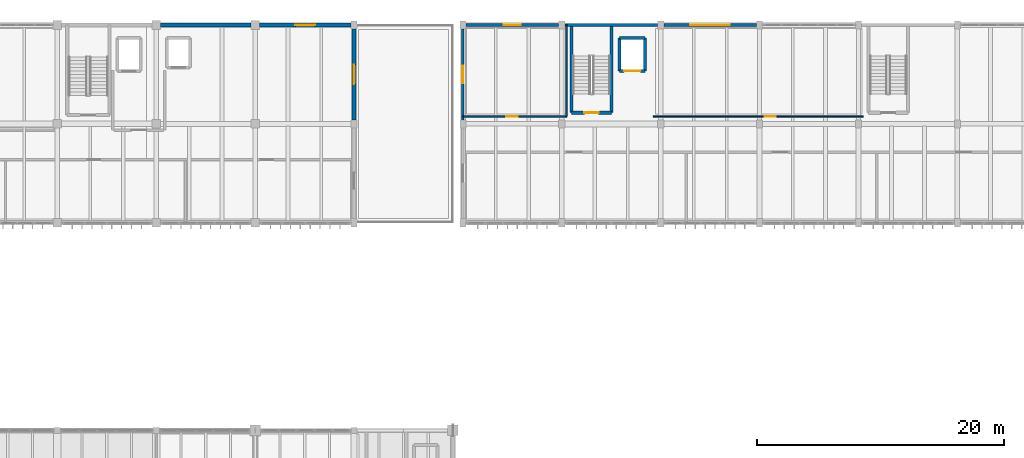
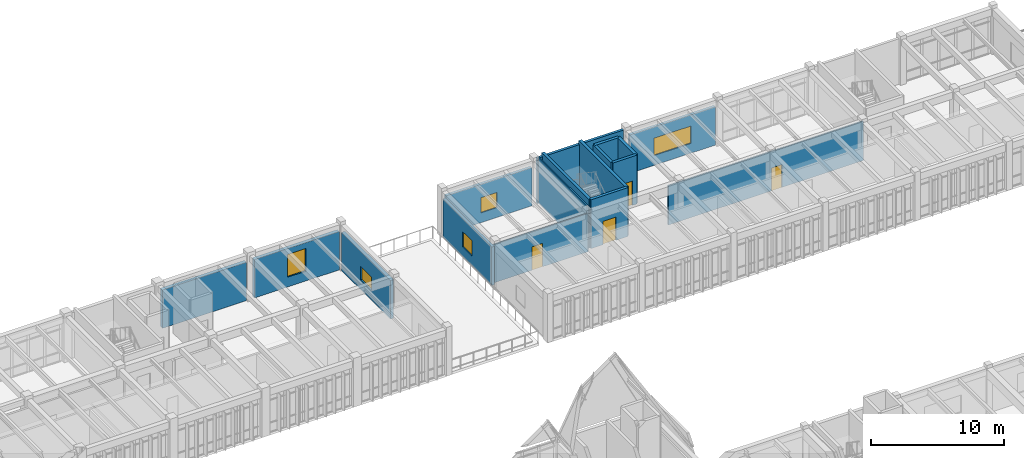
# One storey, part 55 of 72: 17 walls, 5 windows, 4 doors, 9 openings.
"""IFC4 building model written with IfcOpenShell, lengths in metres."""

from ifc_helpers import new_model, si_unit, direction, frame, frame_2d, origin, place, context, subcontext, project, spatial, rectangle, extrude, material, layer, layer_set, type_object, element, fill, save


model = new_model("IFC4")

# Units and contexts
model_context = context("Model", 3, precision=1e-05, world=origin(), true_north=direction((0.0, 1.0)))
body_context = subcontext(model_context, "Body", "Model", "MODEL_VIEW")
ifc_project = project(units=[si_unit("LENGTHUNIT", "METRE"), si_unit("AREAUNIT", "SQUARE_METRE"), si_unit("VOLUMEUNIT", "CUBIC_METRE"), si_unit("PLANEANGLEUNIT", "RADIAN"), si_unit("MASSUNIT", "GRAM", prefix="KILO")], contexts=[model_context])

# Site, building, storey
site_placement = place(None, origin())
site = spatial("IfcSite", under=ifc_project, at=site_placement, CompositionType="ELEMENT")
building_placement = place(site_placement, origin())
building = spatial("IfcBuilding", under=site, at=building_placement, Name="Tlaxcora Railside Police Headquarters", CompositionType="ELEMENT")
storey_placement = place(building_placement, frame((0.0, 0.0, 13.5)))
storey = spatial("IfcBuildingStorey", under=building, at=storey_placement, Name="L03", CompositionType="ELEMENT", Elevation=13.5)

# Wall, opening, door
ifc_material_1 = material(Name="Gypsum acoustic partition board")
ifc_layer_1 = layer(ifc_material_1, 0.10791015625, Name="Gypsum acoustic partition board")
ifc_layer_set_1 = layer_set([ifc_layer_1], Name="Gypsum acoustic partition board")
wall_type_1 = type_object("IfcWallType", Name="Interior Partition Wall IW-19", PredefinedType="PARTITIONING", material=ifc_layer_set_1)
wall_1_placement = place(storey_placement, frame((118.199951171875, 85.39990234375, 0.0), z_axis=(0.0, 0.0, 1.0), x_axis=(1.0, 0.0, 0.0)))
wall_1 = element("IfcWall", 1, at=wall_1_placement, inside=storey, type_object=wall_type_1, Name="V6 L03 interior partition 188", PredefinedType="PARTITIONING", context=body_context, shape_type="SweptSolid", body=[
    extrude(rectangle(XDim=17.0, YDim=0.10791015625, at=frame_2d((8.5, 0.0))), origin(), (0.0, 0.0, 1.0), 3.625),
])
opening_1_placement = place(wall_1_placement, frame((9.0, 0.0, 0.0)))
opening_1 = element("IfcOpeningElement", 2, at=opening_1_placement, cuts=wall_1, Name="Opening D-L03-217", PredefinedType="OPENING", context=body_context, shape_type="SweptSolid", body=[
    extrude(rectangle(XDim=0.89990234375, YDim=2.10009765625, at=frame_2d((0.449951171875, 1.050048828125))), frame((0.0, 0.06396484375, 0.0), z_axis=(0.0, -1.0, 0.0), x_axis=(1.0, 0.0, 0.0)), (0.0, 0.0, 1.0), 0.1279296875),
])
ifc_material_2 = material(Name="Steel ASTM A992 Grade 50", Category="steel")
door_type_1 = type_object("IfcDoorType", Name="Swing or Sliding Personnel Door ID-33", OperationType="NOTDEFINED", PredefinedType="DOOR", material=ifc_material_2)
door_1_placement = place(opening_1_placement, origin())
door_1 = element("IfcDoor", 3, at=door_1_placement, inside=storey, type_object=door_type_1, Name="V6 L03 door D-L03-217", OperationType="SINGLE_SWING_LEFT", OverallHeight=2.10009765625, OverallWidth=0.89990234375, PredefinedType="DOOR", context=body_context, shape_type="SweptSolid", body=[
    extrude(rectangle(XDim=0.89990234375, YDim=2.10009765625, at=frame_2d((0.449951171875, 1.050048828125))), frame((0.0, 0.02490234375, 0.0), z_axis=(0.0, -1.0, 0.0), x_axis=(1.0, 0.0, 0.0)), (0.0, 0.0, 1.0), 0.050048828125),
])
fill(opening_1, door_1)

ifc_layer_2 = layer(ifc_material_1, 0.1201171875, Name="Gypsum acoustic partition board")
ifc_layer_set_2 = layer_set([ifc_layer_2], Name="Gypsum acoustic partition board")
wall_type_2 = type_object("IfcWallType", Name="Interior Partition Wall IW-37", PredefinedType="PARTITIONING", material=ifc_layer_set_2)
wall_2_placement = place(storey_placement, frame((102.800048828125, 85.39990234375, 0.0), z_axis=(0.0, 0.0, 1.0), x_axis=(1.0, 0.0, 0.0)))
wall_2 = element("IfcWall", 4, at=wall_2_placement, inside=storey, type_object=wall_type_2, Name="V6 L03 interior partition 186", PredefinedType="PARTITIONING", context=body_context, shape_type="SweptSolid", body=[
    extrude(rectangle(XDim=8.39990234375, YDim=0.1201171875, at=frame_2d((4.199951171875, 0.0))), origin(), (0.0, 0.0, 1.0), 3.52490234375),
])
opening_2_placement = place(wall_2_placement, frame((3.5, 0.0, 0.0)))
opening_2 = element("IfcOpeningElement", 5, at=opening_2_placement, cuts=wall_2, Name="Opening D-L03-216", PredefinedType="OPENING", context=body_context, shape_type="SweptSolid", body=[
    extrude(rectangle(XDim=0.949951171875, YDim=2.14990234375, at=frame_2d((0.47509765625, 1.074951171875))), frame((0.0, 0.070068359375, 0.0), z_axis=(0.0, -1.0, 0.0), x_axis=(1.0, 0.0, 0.0)), (0.0, 0.0, 1.0), 0.14013671875),
])
door_type_2 = type_object("IfcDoorType", Name="Swing or Sliding Personnel Door ID-31", OperationType="NOTDEFINED", PredefinedType="DOOR", material=ifc_material_2)
door_2_placement = place(opening_2_placement, origin())
door_2 = element("IfcDoor", 6, at=door_2_placement, inside=storey, type_object=door_type_2, Name="V6 L03 door D-L03-216", OperationType="SINGLE_SWING_RIGHT", OverallHeight=2.14990234375, OverallWidth=0.949951171875, PredefinedType="DOOR", context=body_context, shape_type="SweptSolid", body=[
    extrude(rectangle(XDim=0.949951171875, YDim=2.14990234375, at=frame_2d((0.47509765625, 1.074951171875))), frame((0.0, 0.02490234375, 0.0), z_axis=(0.0, -1.0, 0.0), x_axis=(1.0, 0.0, 0.0)), (0.0, 0.0, 1.0), 0.050048828125),
])
fill(opening_2, door_2)

# Wall
ifc_layer_3 = layer(ifc_material_1, 0.114990234375, Name="Gypsum acoustic partition board")
ifc_layer_set_3 = layer_set([ifc_layer_3], Name="Gypsum acoustic partition board")
wall_type_3 = type_object("IfcWallType", Name="Interior Partition Wall IW-87", PredefinedType="PARTITIONING", material=ifc_layer_set_3)
wall_3_placement = place(storey_placement, frame((111.199951171875, 85.39990234375, 0.0), z_axis=(0.0, 0.0, 1.0), x_axis=(0.0, 1.0, 0.0)))
element("IfcWall", 7, at=wall_3_placement, inside=storey, type_object=wall_type_3, Name="V6 L03 interior partition 187", PredefinedType="PARTITIONING", context=body_context, shape_type="SweptSolid", body=[
    extrude(rectangle(XDim=7.400146484375, YDim=0.114990234375, at=frame_2d((3.7001953125, 0.0))), origin(), (0.0, 0.0, 1.0), 4.18994140625),
])

# Wall, opening, door
ifc_material_3 = material(Name="Concrete C40/50", Category="concrete")
ifc_layer_4 = layer(ifc_material_3, 0.25, Name="Concrete C40/50")
ifc_layer_set_4 = layer_set([ifc_layer_4], Name="Concrete C40/50")
wall_type_4 = type_object("IfcWallType", Name="Shear Core Wall IW-13", PredefinedType="SHEAR", material=ifc_layer_set_4)
wall_4_placement = place(storey_placement, frame((111.60009765625, 85.699951171875, 0.0), z_axis=(0.0, 0.0, 1.0), x_axis=(1.0, 0.0, 0.0)))
wall_4 = element("IfcWall", 8, at=wall_4_placement, inside=storey, type_object=wall_type_4, Name="CORE-C3 L03 stair core wall S", PredefinedType="SHEAR", context=body_context, shape_type="SweptSolid", body=[
    extrude(rectangle(XDim=3.219970703125, YDim=0.25, at=frame_2d((1.60986328125, 0.0))), origin(), (0.0, 0.0, 1.0), 4.5),
])
opening_3_placement = place(wall_4_placement, frame((1.034912109375, 0.0, 0.0)))
opening_3 = element("IfcOpeningElement", 9, at=opening_3_placement, cuts=wall_4, Name="Opening SD-L03-023", PredefinedType="OPENING", context=body_context, shape_type="SweptSolid", body=[
    extrude(rectangle(XDim=1.14990234375, YDim=2.14990234375, at=frame_2d((0.574951171875, 1.074951171875))), frame((0.0, 0.135009765625, 0.0), z_axis=(0.0, -1.0, 0.0), x_axis=(1.0, 0.0, 0.0)), (0.0, 0.0, 1.0), 0.27001953125),
])
door_type_3 = type_object("IfcDoorType", Name="Swing or Sliding Personnel Door ID-73", OperationType="NOTDEFINED", PredefinedType="DOOR", material=ifc_material_2)
door_3_placement = place(opening_3_placement, origin())
door_3 = element("IfcDoor", 10, at=door_3_placement, inside=storey, type_object=door_type_3, Name="Stair ST3 L03 enclosure fire door", OperationType="SINGLE_SWING_LEFT", OverallHeight=2.14990234375, OverallWidth=1.14990234375, PredefinedType="DOOR", context=body_context, shape_type="SweptSolid", body=[
    extrude(rectangle(XDim=1.14990234375, YDim=2.14990234375, at=frame_2d((0.574951171875, 1.074951171875))), frame((0.0, 0.02490234375, 0.0), z_axis=(0.0, -1.0, 0.0), x_axis=(1.0, 0.0, 0.0)), (0.0, 0.0, 1.0), 0.050048828125),
])
fill(opening_3, door_3)

# Walls
for number, where, z_axis, x_axis, name in (
    (11, (114.820068359375, 85.699951171875, 0.0), (0.0, 0.0, 1.0), (0.0, 1.0, 0.0), "CORE-C3 L03 stair core wall E"),
    (12, (111.60009765625, 92.800048828125, 0.0), (0.0, 0.0, 1.0), (0.0, -1.0, 0.0), "CORE-C3 L03 stair core wall W"),
):
    element("IfcWall", number, at=place(storey_placement, frame(where, z_axis=z_axis, x_axis=x_axis)), inside=storey, type_object=wall_type_4, Name=name, PredefinedType="SHEAR", context=body_context, shape_type="SweptSolid", body=[
        extrude(rectangle(XDim=7.10009765625, YDim=0.25, at=frame_2d((3.550048828125, 0.0))), origin(), (0.0, 0.0, 1.0), 4.5),
    ])

# Wall, opening, door
wall_5_placement = place(storey_placement, frame((115.4599609375, 89.06005859375, 0.0), z_axis=(0.0, 0.0, 1.0), x_axis=(1.0, 0.0, 0.0)))
wall_5 = element("IfcWall", 13, at=wall_5_placement, inside=storey, type_object=wall_type_4, Name="Lift GL-01 L03 shaft wall S", PredefinedType="SHEAR", context=body_context, shape_type="SweptSolid", body=[
    extrude(rectangle(XDim=2.080078125, YDim=0.25, at=frame_2d((1.0400390625, 0.0))), origin(), (0.0, 0.0, 1.0), 4.5),
])
opening_4_placement = place(wall_5_placement, frame((0.389892578125, 0.0, 0.0)))
opening_4 = element("IfcOpeningElement", 14, at=opening_4_placement, cuts=wall_5, Name="Opening LD-GL-01-L03", PredefinedType="OPENING", context=body_context, shape_type="SweptSolid", body=[
    extrude(rectangle(XDim=1.300048828125, YDim=2.25, at=frame_2d((0.64990234375, 1.125))), frame((0.0, 0.135009765625, 0.0), z_axis=(0.0, -1.0, 0.0), x_axis=(1.0, 0.0, 0.0)), (0.0, 0.0, 1.0), 0.27001953125),
])
door_type_4 = type_object("IfcDoorType", Name="Swing or Sliding Personnel Door ID-72", OperationType="NOTDEFINED", PredefinedType="DOOR", material=ifc_material_2)
door_4_placement = place(opening_4_placement, origin())
door_4 = element("IfcDoor", 15, at=door_4_placement, inside=storey, type_object=door_type_4, Name="Lift GL-01 L03 sliding landing door", OperationType="DOUBLE_DOOR_SLIDING", OverallHeight=2.25, OverallWidth=1.300048828125, PredefinedType="DOOR", context=body_context, shape_type="SweptSolid", body=[
    extrude(rectangle(XDim=1.300048828125, YDim=2.25, at=frame_2d((0.64990234375, 1.125))), frame((0.0, 0.02490234375, 0.0), z_axis=(0.0, -1.0, 0.0), x_axis=(1.0, 0.0, 0.0)), (0.0, 0.0, 1.0), 0.050048828125),
])
fill(opening_4, door_4)

# Walls
wall_6_placement = place(storey_placement, frame((117.5400390625, 89.06005859375, 0.0), z_axis=(0.0, 0.0, 1.0), x_axis=(0.0, 1.0, 0.0)))
element("IfcWall", 16, at=wall_6_placement, inside=storey, type_object=wall_type_4, Name="Lift GL-01 L03 shaft wall E", PredefinedType="SHEAR", context=body_context, shape_type="SweptSolid", body=[
    extrude(rectangle(XDim=2.679931640625, YDim=0.25, at=frame_2d((1.33984375, 0.0))), origin(), (0.0, 0.0, 1.0), 4.5),
])
wall_7_placement = place(storey_placement, frame((117.5400390625, 91.739990234375, 0.0), z_axis=(0.0, 0.0, 1.0), x_axis=(-1.0, 0.0, 0.0)))
element("IfcWall", 17, at=wall_7_placement, inside=storey, type_object=wall_type_4, Name="Lift GL-01 L03 shaft wall N", PredefinedType="SHEAR", context=body_context, shape_type="SweptSolid", body=[
    extrude(rectangle(XDim=2.080078125, YDim=0.25, at=frame_2d((1.0400390625, 0.0))), origin(), (0.0, 0.0, 1.0), 4.5),
])
wall_8_placement = place(storey_placement, frame((115.4599609375, 91.739990234375, 0.0), z_axis=(0.0, 0.0, 1.0), x_axis=(0.0, -1.0, 0.0)))
element("IfcWall", 18, at=wall_8_placement, inside=storey, type_object=wall_type_4, Name="Lift GL-01 L03 shaft wall W", PredefinedType="SHEAR", context=body_context, shape_type="SweptSolid", body=[
    extrude(rectangle(XDim=2.679931640625, YDim=0.25, at=frame_2d((1.33984375, 0.0))), origin(), (0.0, 0.0, 1.0), 4.5),
])

# Wall, opening, window
ifc_material_4 = material(Name="Precast concrete C40/50", Category="concrete")
ifc_layer_5 = layer(ifc_material_4, 0.22509765625, Name="Precast concrete C40/50")
ifc_layer_set_5 = layer_set([ifc_layer_5], Name="Precast concrete C40/50")
wall_type_5 = type_object("IfcWallType", Name="Structural Bearing Wall EW-69", PredefinedType="SOLIDWALL", material=ifc_layer_set_5)
wall_9_placement = place(storey_placement, frame((126.550048828125, 92.800048828125, 0.0), z_axis=(0.0, 0.0, 1.0), x_axis=(-1.0, 0.0, 0.0)))
wall_9 = element("IfcWall", 19, at=wall_9_placement, inside=storey, type_object=wall_type_5, Name="V6 L03 exterior wall 2.3", PredefinedType="SOLIDWALL", context=body_context, shape_type="SweptSolid", body=[
    extrude(rectangle(XDim=7.5, YDim=0.22509765625, at=frame_2d((3.75, 0.0))), origin(), (0.0, 0.0, 1.0), 3.5400390625),
])
opening_5_placement = place(wall_9_placement, frame((2.14990234375, 0.0, 0.89990234375)))
opening_5 = element("IfcOpeningElement", 20, at=opening_5_placement, cuts=wall_9, Name="Opening WN-47", PredefinedType="OPENING", context=body_context, shape_type="SweptSolid", body=[
    extrude(rectangle(XDim=3.199951171875, YDim=1.60009765625, at=frame_2d((1.60009765625, 0.800048828125))), frame((0.0, 0.12255859375, 0.0), z_axis=(0.0, -1.0, 0.0), x_axis=(1.0, 0.0, 0.0)), (0.0, 0.0, 1.0), 0.2451171875),
])
ifc_material_5 = material(Name="Thermally broken low-E insulated glazing", Category="glass")
window_type_1 = type_object("IfcWindowType", Name="Exterior Framed or Circular Window WN-47", PartitioningType="SINGLE_PANEL", PredefinedType="WINDOW", material=ifc_material_5)
window_1_placement = place(opening_5_placement, origin())
window_1 = element("IfcWindow", 21, at=window_1_placement, inside=storey, type_object=window_type_1, Name="V6 L03 window 181", OverallHeight=1.60009765625, OverallWidth=3.199951171875, PartitioningType="SINGLE_PANEL", PredefinedType="WINDOW", context=body_context, shape_type="SweptSolid", body=[
    extrude(rectangle(XDim=3.199951171875, YDim=1.60009765625, at=frame_2d((1.60009765625, 0.800048828125))), frame((0.0, 0.030029296875, 0.0), z_axis=(0.0, -1.0, 0.0), x_axis=(1.0, 0.0, 0.0)), (0.0, 0.0, 1.0), 0.06005859375),
])
fill(opening_5, window_1)

# Wall
wall_10_placement = place(storey_placement, frame((118.550048828125, 92.800048828125, 0.0), z_axis=(0.0, 0.0, 1.0), x_axis=(-1.0, 0.0, 0.0)))
element("IfcWall", 22, at=wall_10_placement, inside=storey, type_object=wall_type_5, Name="V6 L03 exterior wall 2.4", PredefinedType="SOLIDWALL", context=body_context, shape_type="SweptSolid", body=[
    extrude(rectangle(XDim=7.5, YDim=0.22509765625, at=frame_2d((3.75, 0.0))), origin(), (0.0, 0.0, 1.0), 4.18994140625),
])

# Wall, opening, window
wall_11_placement = place(storey_placement, frame((110.550048828125, 92.800048828125, 0.0), z_axis=(0.0, 0.0, 1.0), x_axis=(-1.0, 0.0, 0.0)))
wall_11 = element("IfcWall", 23, at=wall_11_placement, inside=storey, type_object=wall_type_5, Name="V6 L03 exterior wall 2.5", PredefinedType="SOLIDWALL", context=body_context, shape_type="SweptSolid", body=[
    extrude(rectangle(XDim=7.5, YDim=0.22509765625, at=frame_2d((3.75, 0.0))), origin(), (0.0, 0.0, 1.0), 3.5400390625),
])
opening_6_placement = place(wall_11_placement, frame((3.050048828125, 0.0, 0.89990234375)))
opening_6 = element("IfcOpeningElement", 24, at=opening_6_placement, cuts=wall_11, Name="Opening WN-22", PredefinedType="OPENING", context=body_context, shape_type="SweptSolid", body=[
    extrude(rectangle(XDim=1.39990234375, YDim=1.39990234375, at=frame_2d((0.699951171875, 0.699951171875))), frame((0.0, 0.12255859375, 0.0), z_axis=(0.0, -1.0, 0.0), x_axis=(1.0, 0.0, 0.0)), (0.0, 0.0, 1.0), 0.2451171875),
])
window_type_2 = type_object("IfcWindowType", Name="Exterior Framed or Circular Window WN-22", PartitioningType="SINGLE_PANEL", PredefinedType="WINDOW", material=ifc_material_5)
window_2_placement = place(opening_6_placement, origin())
window_2 = element("IfcWindow", 25, at=window_2_placement, inside=storey, type_object=window_type_2, Name="V6 L03 window 182", OverallHeight=1.39990234375, OverallWidth=1.39990234375, PartitioningType="SINGLE_PANEL", PredefinedType="WINDOW", context=body_context, shape_type="SweptSolid", body=[
    extrude(rectangle(XDim=1.39990234375, YDim=1.39990234375, at=frame_2d((0.699951171875, 0.699951171875))), frame((0.0, 0.030029296875, 0.0), z_axis=(0.0, -1.0, 0.0), x_axis=(1.0, 0.0, 0.0)), (0.0, 0.0, 1.0), 0.06005859375),
])
fill(opening_6, window_2)

wall_12_placement = place(storey_placement, frame((102.800048828125, 92.47509765625, 0.0), z_axis=(0.0, 0.0, 1.0), x_axis=(0.0, -1.0, 0.0)))
wall_12 = element("IfcWall", 26, at=wall_12_placement, inside=storey, type_object=wall_type_5, Name="V6 L03 exterior wall 3.0", PredefinedType="SOLIDWALL", context=body_context, shape_type="SweptSolid", body=[
    extrude(rectangle(XDim=7.35009765625, YDim=0.22509765625, at=frame_2d((3.675048828125, 0.0))), origin(), (0.0, 0.0, 1.0), 3.5400390625),
])
opening_7_placement = place(wall_12_placement, frame((2.97509765625, 0.0, 0.89990234375)))
opening_7 = element("IfcOpeningElement", 27, at=opening_7_placement, cuts=wall_12, Name="Opening WN-22", PredefinedType="OPENING", context=body_context, shape_type="SweptSolid", body=[
    extrude(rectangle(XDim=1.39990234375, YDim=1.39990234375, at=frame_2d((0.699951171875, 0.699951171875))), frame((0.0, 0.12255859375, 0.0), z_axis=(0.0, -1.0, 0.0), x_axis=(1.0, 0.0, 0.0)), (0.0, 0.0, 1.0), 0.2451171875),
])
window_3_placement = place(opening_7_placement, origin())
window_3 = element("IfcWindow", 28, at=window_3_placement, inside=storey, type_object=window_type_2, Name="V6 L03 window 183", OverallHeight=1.39990234375, OverallWidth=1.39990234375, PartitioningType="SINGLE_PANEL", PredefinedType="WINDOW", context=body_context, shape_type="SweptSolid", body=[
    extrude(rectangle(XDim=1.39990234375, YDim=1.39990234375, at=frame_2d((0.699951171875, 0.699951171875))), frame((0.0, 0.030029296875, 0.0), z_axis=(0.0, -1.0, 0.0), x_axis=(1.0, 0.0, 0.0)), (0.0, 0.0, 1.0), 0.06005859375),
])
fill(opening_7, window_3)

ifc_material_6 = material(Name="Pressed clay brick masonry", Category="masonry")
ifc_layer_6 = layer(ifc_material_6, 0.294921875, Name="Pressed clay brick masonry")
ifc_layer_set_6 = layer_set([ifc_layer_6], Name="Pressed clay brick masonry")
wall_type_6 = type_object("IfcWallType", Name="Structural Bearing Wall EW-74", PredefinedType="SOLIDWALL", material=ifc_layer_set_6)
wall_13_placement = place(storey_placement, frame((94.0, 85.125, 0.0), z_axis=(0.0, 0.0, 1.0), x_axis=(0.0, 1.0, 0.0)))
wall_13 = element("IfcWall", 29, at=wall_13_placement, inside=storey, type_object=wall_type_6, Name="V5 L03 exterior wall 3.1", PredefinedType="SOLIDWALL", context=body_context, shape_type="SweptSolid", body=[
    extrude(rectangle(XDim=7.35009765625, YDim=0.294921875, at=frame_2d((3.675048828125, 0.0))), origin(), (0.0, 0.0, 1.0), 3.5400390625),
])
opening_8_placement = place(wall_13_placement, frame((2.875, 0.0, 0.89990234375)))
opening_8 = element("IfcOpeningElement", 30, at=opening_8_placement, cuts=wall_13, Name="Opening WN-63", PredefinedType="OPENING", context=body_context, shape_type="SweptSolid", body=[
    extrude(rectangle(XDim=1.60009765625, YDim=1.25, at=frame_2d((0.800048828125, 0.625))), frame((0.0, 0.157470703125, 0.0), z_axis=(0.0, -1.0, 0.0), x_axis=(1.0, 0.0, 0.0)), (0.0, 0.0, 1.0), 0.31494140625),
])
window_type_3 = type_object("IfcWindowType", Name="Exterior Framed or Circular Window WN-63", PartitioningType="SINGLE_PANEL", PredefinedType="WINDOW", material=ifc_material_5)
window_4_placement = place(opening_8_placement, origin())
window_4 = element("IfcWindow", 31, at=window_4_placement, inside=storey, type_object=window_type_3, Name="V5 L03 window 135", OverallHeight=1.25, OverallWidth=1.60009765625, PartitioningType="SINGLE_PANEL", PredefinedType="WINDOW", context=body_context, shape_type="SweptSolid", body=[
    extrude(rectangle(XDim=1.60009765625, YDim=1.25, at=frame_2d((0.800048828125, 0.625))), frame((0.0, 0.030029296875, 0.0), z_axis=(0.0, -1.0, 0.0), x_axis=(1.0, 0.0, 0.0)), (0.0, 0.0, 1.0), 0.06005859375),
])
fill(opening_8, window_4)

wall_14_placement = place(storey_placement, frame((93.75, 92.800048828125, 0.0), z_axis=(0.0, 0.0, 1.0), x_axis=(-1.0, 0.0, 0.0)))
wall_14 = element("IfcWall", 32, at=wall_14_placement, inside=storey, type_object=wall_type_6, Name="V5 L03 exterior wall 4.0", PredefinedType="SOLIDWALL", context=body_context, shape_type="SweptSolid", body=[
    extrude(rectangle(XDim=7.39990234375, YDim=0.294921875, at=frame_2d((3.699951171875, 0.0))), origin(), (0.0, 0.0, 1.0), 3.5400390625),
])
opening_9_placement = place(wall_14_placement, frame((2.89990234375, 0.0, 0.89990234375)))
opening_9 = element("IfcOpeningElement", 33, at=opening_9_placement, cuts=wall_14, Name="Opening WN-54", PredefinedType="OPENING", context=body_context, shape_type="SweptSolid", body=[
    extrude(rectangle(XDim=1.60009765625, YDim=2.10009765625, at=frame_2d((0.800048828125, 1.050048828125))), frame((0.0, 0.157470703125, 0.0), z_axis=(0.0, -1.0, 0.0), x_axis=(1.0, 0.0, 0.0)), (0.0, 0.0, 1.0), 0.31494140625),
])
window_type_4 = type_object("IfcWindowType", Name="Exterior Framed or Circular Window WN-54", PartitioningType="SINGLE_PANEL", PredefinedType="WINDOW", material=ifc_material_5)
window_5_placement = place(opening_9_placement, origin())
window_5 = element("IfcWindow", 34, at=window_5_placement, inside=storey, type_object=window_type_4, Name="V5 L03 window 136", OverallHeight=2.10009765625, OverallWidth=1.60009765625, PartitioningType="SINGLE_PANEL", PredefinedType="WINDOW", context=body_context, shape_type="SweptSolid", body=[
    extrude(rectangle(XDim=1.60009765625, YDim=2.10009765625, at=frame_2d((0.800048828125, 1.050048828125))), frame((0.0, 0.030029296875, 0.0), z_axis=(0.0, -1.0, 0.0), x_axis=(1.0, 0.0, 0.0)), (0.0, 0.0, 1.0), 0.06005859375),
])
fill(opening_9, window_5)

# Wall
wall_15_placement = place(storey_placement, frame((85.64990234375, 92.800048828125, 0.0), z_axis=(0.0, 0.0, 1.0), x_axis=(-1.0, 0.0, 0.0)))
element("IfcWall", 35, at=wall_15_placement, inside=storey, type_object=wall_type_6, Name="V5 L03 exterior wall 4.1", PredefinedType="SOLIDWALL", context=body_context, shape_type="SweptSolid", body=[
    extrude(rectangle(XDim=7.2998046875, YDim=0.294921875, at=frame_2d((3.64990234375, 0.0))), origin(), (0.0, 0.0, 1.0), 3.5400390625),
])

save(model, "model.ifc")
